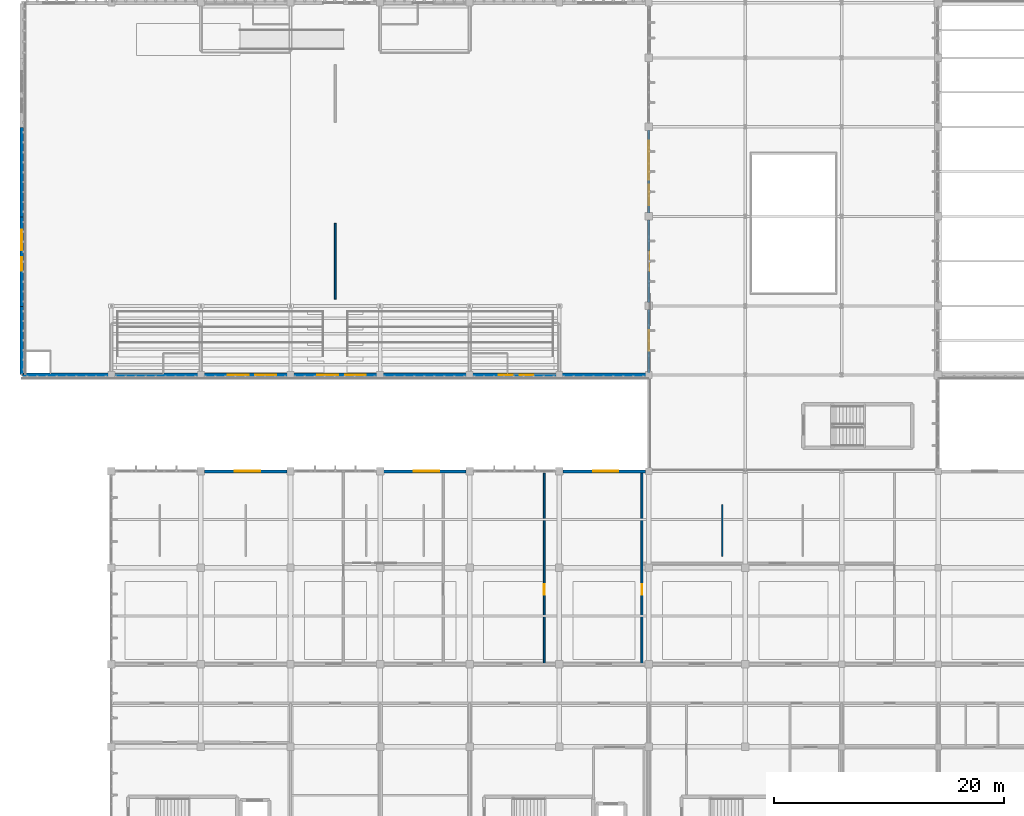
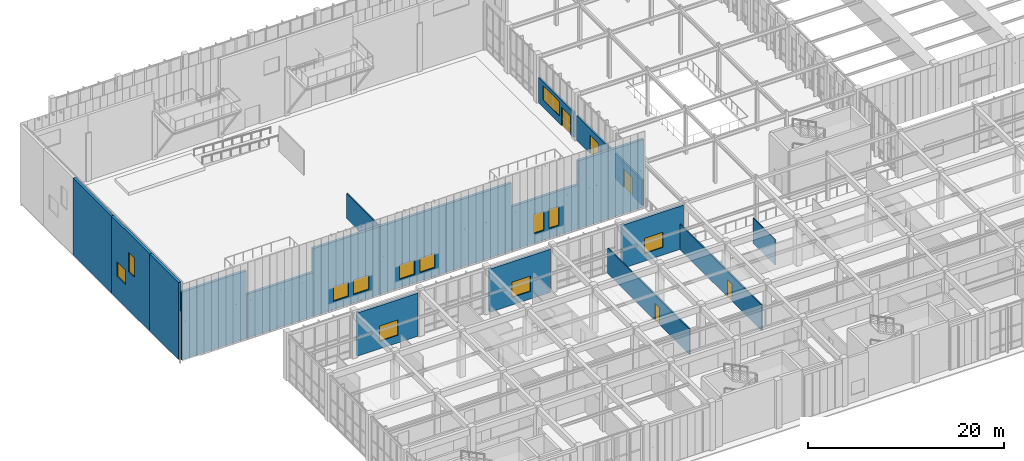
# One storey, part 72 of 105: 20 walls, 12 windows, 5 doors, 17 openings.
"""IFC4 building model written with IfcOpenShell, lengths in metres."""

from ifc_helpers import new_model, si_unit, direction, frame, frame_2d, origin, place, context, subcontext, project, spatial, rectangle, extrude, material, layer, layer_set, type_object, element, fill, save


model = new_model("IFC4")

# Units and contexts
model_context = context("Model", 3, precision=1e-05, world=origin(), true_north=direction((0.0, 1.0)))
body_context = subcontext(model_context, "Body", "Model", "MODEL_VIEW")
ifc_project = project(units=[si_unit("LENGTHUNIT", "METRE"), si_unit("AREAUNIT", "SQUARE_METRE"), si_unit("VOLUMEUNIT", "CUBIC_METRE"), si_unit("PLANEANGLEUNIT", "RADIAN"), si_unit("MASSUNIT", "GRAM", prefix="KILO")], contexts=[model_context])

# Site, building, storey
site_placement = place(None, origin())
site = spatial("IfcSite", under=ifc_project, at=site_placement, CompositionType="ELEMENT")
building_placement = place(site_placement, origin())
building = spatial("IfcBuilding", under=site, at=building_placement, Name="Tizgana Railside Sports Hall", CompositionType="ELEMENT")
storey_placement = place(building_placement, frame((0.0, 0.0, 6.0)))
storey = spatial("IfcBuildingStorey", under=building, at=storey_placement, Name="L01", CompositionType="ELEMENT", Elevation=6.0)

# Wall, opening, door
ifc_material_1 = material(Name="Acoustic gypsum stud")
ifc_layer_1 = layer(ifc_material_1, 0.159912109375, Name="Acoustic gypsum stud")
ifc_layer_set_1 = layer_set([ifc_layer_1], Name="Acoustic gypsum stud")
wall_type_1 = type_object("IfcWallType", Name="Clinic Acoustic Partition 160", PredefinedType="STANDARD", material=ifc_layer_set_1)
wall_1_placement = place(storey_placement, frame((45.5, 15.60009765625, 0.0), z_axis=(0.0, 0.0, 1.0), x_axis=(0.0, 1.0, 0.0)))
wall_1 = element("IfcWall", 1, at=wall_1_placement, inside=storey, type_object=wall_type_1, Name="L01 Partition PWAL-0077", PredefinedType="STANDARD", context=body_context, shape_type="SweptSolid", body=[
    extrude(rectangle(XDim=16.64990234375, YDim=0.159912109375, at=frame_2d((8.324951171875, 0.0))), origin(), (0.0, 0.0, 1.0), 3.14990234375),
])
opening_1_placement = place(wall_1_placement, frame((6.06494140625, 0.0, 0.0)))
opening_1 = element("IfcOpeningElement", 2, at=opening_1_placement, cuts=wall_1, Name="Opening D-0157", PredefinedType="OPENING", context=body_context, shape_type="SweptSolid", body=[
    extrude(rectangle(XDim=0.919921875, YDim=2.14990234375, at=frame_2d((0.4599609375, 1.074951171875))), frame((0.0, 0.08984375, 0.0), z_axis=(0.0, -1.0, 0.0), x_axis=(1.0, 0.0, 0.0)), (0.0, 0.0, 1.0), 0.179931640625),
])
ifc_material_2 = material(Name="Solid beech timber", Category="wood")
door_type_1 = type_object("IfcDoorType", Name="Consultation & Coaching Door 920x2150", OperationType="NOTDEFINED", PredefinedType="DOOR", material=ifc_material_2)
door_1_placement = place(opening_1_placement, origin())
door_1 = element("IfcDoor", 3, at=door_1_placement, inside=storey, type_object=door_type_1, Name="L01 Door D-0157", OperationType="SINGLE_SWING_LEFT", OverallHeight=2.14990234375, OverallWidth=0.919921875, PredefinedType="DOOR", context=body_context, shape_type="SweptSolid", body=[
    extrude(rectangle(XDim=0.919921875, YDim=2.14990234375, at=frame_2d((0.4599609375, 1.074951171875))), frame((0.0, 0.02490234375, 0.0), z_axis=(0.0, -1.0, 0.0), x_axis=(1.0, 0.0, 0.0)), (0.0, 0.0, 1.0), 0.050048828125),
])
fill(opening_1, door_1)

wall_2_placement = place(storey_placement, frame((54.0, 15.60009765625, 0.0), z_axis=(0.0, 0.0, 1.0), x_axis=(0.0, 1.0, 0.0)))
wall_2 = element("IfcWall", 4, at=wall_2_placement, inside=storey, type_object=wall_type_1, Name="L01 Partition PWAL-0078", PredefinedType="STANDARD", context=body_context, shape_type="SweptSolid", body=[
    extrude(rectangle(XDim=16.659912109375, YDim=0.159912109375, at=frame_2d((8.330078125, 0.0))), origin(), (0.0, 0.0, 1.0), 3.14990234375),
])
opening_2_placement = place(wall_2_placement, frame((6.06494140625, 0.0, 0.0)))
opening_2 = element("IfcOpeningElement", 5, at=opening_2_placement, cuts=wall_2, Name="Opening D-0158", PredefinedType="OPENING", context=body_context, shape_type="SweptSolid", body=[
    extrude(rectangle(XDim=0.919921875, YDim=2.14990234375, at=frame_2d((0.4599609375, 1.074951171875))), frame((0.0, 0.08984375, 0.0), z_axis=(0.0, -1.0, 0.0), x_axis=(1.0, 0.0, 0.0)), (0.0, 0.0, 1.0), 0.179931640625),
])
door_2_placement = place(opening_2_placement, origin())
door_2 = element("IfcDoor", 6, at=door_2_placement, inside=storey, type_object=door_type_1, Name="L01 Door D-0158", OperationType="SINGLE_SWING_RIGHT", OverallHeight=2.14990234375, OverallWidth=0.919921875, PredefinedType="DOOR", context=body_context, shape_type="SweptSolid", body=[
    extrude(rectangle(XDim=0.919921875, YDim=2.14990234375, at=frame_2d((0.4599609375, 1.074951171875))), frame((0.0, 0.02490234375, 0.0), z_axis=(0.0, -1.0, 0.0), x_axis=(1.0, 0.0, 0.0)), (0.0, 0.0, 1.0), 0.050048828125),
])
fill(opening_2, door_2)

# Wall
ifc_material_3 = material(Name="Acoustic perforated timber", Category="wood")
ifc_layer_2 = layer(ifc_material_3, 0.139892578125, Name="Acoustic perforated timber")
ifc_layer_set_2 = layer_set([ifc_layer_2], Name="Acoustic perforated timber")
wall_type_2 = type_object("IfcWallType", Name="Court Acoustic Divider Wall 140", PredefinedType="MOVABLE", material=ifc_layer_set_2)
wall_3_placement = place(storey_placement, frame((27.300048828125, 47.39990234375, 0.0), z_axis=(0.0, 0.0, 1.0), x_axis=(0.0, 1.0, 0.0)))
element("IfcWall", 7, at=wall_3_placement, inside=storey, type_object=wall_type_2, Name="L01 Partition PWAL-0292", PredefinedType="MOVABLE", context=body_context, shape_type="SweptSolid", body=[
    extrude(rectangle(XDim=6.60009765625, YDim=0.139892578125, at=frame_2d((3.300048828125, 0.0))), origin(), (0.0, 0.0, 1.0), 3.14990234375),
])

# Wall, opening, door
ifc_material_4 = material(Name="Masonry blockwork", Category="masonry")
ifc_layer_3 = layer(ifc_material_4, 0.219970703125, Name="Masonry blockwork")
ifc_layer_set_3 = layer_set([ifc_layer_3], Name="Masonry blockwork")
wall_type_3 = type_object("IfcWallType", Name="Equipment Store Fire Wall 220", PredefinedType="STANDARD", material=ifc_layer_set_3)
wall_4_placement = place(storey_placement, frame((54.60009765625, 40.9599609375, 0.0), z_axis=(0.0, 0.0, 1.0), x_axis=(0.0, 1.0, 0.0)))
wall_4 = element("IfcWall", 8, at=wall_4_placement, inside=storey, type_object=wall_type_3, Name="L01 Partition PWAL-0271", PredefinedType="STANDARD", context=body_context, shape_type="SweptSolid", body=[
    extrude(rectangle(XDim=5.5400390625, YDim=0.219970703125, at=frame_2d((2.77001953125, 0.0))), origin(), (0.0, 0.0, 1.0), 3.14990234375),
])
opening_3_placement = place(wall_4_placement, frame((1.93994140625, 0.0, 0.0)))
opening_3 = element("IfcOpeningElement", 9, at=opening_3_placement, cuts=wall_4, Name="Opening D-0259", PredefinedType="OPENING", context=body_context, shape_type="SweptSolid", body=[
    extrude(rectangle(XDim=1.800048828125, YDim=2.300048828125, at=frame_2d((0.89990234375, 1.14990234375))), frame((0.0, 0.119873046875, 0.0), z_axis=(0.0, -1.0, 0.0), x_axis=(1.0, 0.0, 0.0)), (0.0, 0.0, 1.0), 0.239990234375),
])
door_type_2 = type_object("IfcDoorType", Name="Spectator Vomitory Double Door 1800x2300", OperationType="NOTDEFINED", PredefinedType="DOOR", material=ifc_material_2)
door_3_placement = place(opening_3_placement, origin())
door_3 = element("IfcDoor", 10, at=door_3_placement, inside=storey, type_object=door_type_2, Name="L01 Door D-0259", OperationType="DOUBLE_DOOR_SINGLE_SWING", OverallHeight=2.300048828125, OverallWidth=1.800048828125, PredefinedType="DOOR", context=body_context, shape_type="SweptSolid", body=[
    extrude(rectangle(XDim=1.800048828125, YDim=2.300048828125, at=frame_2d((0.89990234375, 1.14990234375))), frame((0.0, 0.02490234375, 0.0), z_axis=(0.0, -1.0, 0.0), x_axis=(1.0, 0.0, 0.0)), (0.0, 0.0, 1.0), 0.050048828125),
])
fill(opening_3, door_3)

wall_5_placement = place(storey_placement, frame((54.60009765625, 47.10009765625, 0.0), z_axis=(0.0, 0.0, 1.0), x_axis=(0.0, 1.0, 0.0)))
wall_5 = element("IfcWall", 11, at=wall_5_placement, inside=storey, type_object=wall_type_3, Name="L01 Partition PWAL-0272", PredefinedType="STANDARD", context=body_context, shape_type="SweptSolid", body=[
    extrude(rectangle(XDim=7.199951171875, YDim=0.219970703125, at=frame_2d((3.60009765625, 0.0))), origin(), (0.0, 0.0, 1.0), 3.14990234375),
])
opening_4_placement = place(wall_5_placement, frame((2.699951171875, 0.0, 0.0)))
opening_4 = element("IfcOpeningElement", 12, at=opening_4_placement, cuts=wall_5, Name="Opening D-0260", PredefinedType="OPENING", context=body_context, shape_type="SweptSolid", body=[
    extrude(rectangle(XDim=1.800048828125, YDim=2.300048828125, at=frame_2d((0.89990234375, 1.14990234375))), frame((0.0, 0.119873046875, 0.0), z_axis=(0.0, -1.0, 0.0), x_axis=(1.0, 0.0, 0.0)), (0.0, 0.0, 1.0), 0.239990234375),
])
door_4_placement = place(opening_4_placement, origin())
door_4 = element("IfcDoor", 13, at=door_4_placement, inside=storey, type_object=door_type_2, Name="L01 Door D-0260", OperationType="DOUBLE_DOOR_SINGLE_SWING", OverallHeight=2.300048828125, OverallWidth=1.800048828125, PredefinedType="DOOR", context=body_context, shape_type="SweptSolid", body=[
    extrude(rectangle(XDim=1.800048828125, YDim=2.300048828125, at=frame_2d((0.89990234375, 1.14990234375))), frame((0.0, 0.02490234375, 0.0), z_axis=(0.0, -1.0, 0.0), x_axis=(1.0, 0.0, 0.0)), (0.0, 0.0, 1.0), 0.050048828125),
])
fill(opening_4, door_4)

# Wall, openings, window, door
wall_6_placement = place(storey_placement, frame((54.60009765625, 54.89990234375, 0.0), z_axis=(0.0, 0.0, 1.0), x_axis=(0.0, 1.0, 0.0)))
wall_6 = element("IfcWall", 14, at=wall_6_placement, inside=storey, type_object=wall_type_3, Name="L01 Partition PWAL-0273", PredefinedType="STANDARD", context=body_context, shape_type="SweptSolid", body=[
    extrude(rectangle(XDim=7.2001953125, YDim=0.219970703125, at=frame_2d((3.60009765625, 0.0))), origin(), (0.0, 0.0, 1.0), 3.14990234375),
])
opening_5_placement = place(wall_6_placement, frame((0.64990234375, 0.0, 0.0)))
opening_5 = element("IfcOpeningElement", 15, at=opening_5_placement, cuts=wall_6, Name="Opening D-0261", PredefinedType="OPENING", context=body_context, shape_type="SweptSolid", body=[
    extrude(rectangle(XDim=1.800048828125, YDim=2.300048828125, at=frame_2d((0.89990234375, 1.14990234375))), frame((0.0, 0.119873046875, 0.0), z_axis=(0.0, -1.0, 0.0), x_axis=(1.0, 0.0, 0.0)), (0.0, 0.0, 1.0), 0.239990234375),
])
opening_6_placement = place(wall_6_placement, frame((2.89990234375, 0.0, 0.89990234375)))
opening_6 = element("IfcOpeningElement", 16, at=opening_6_placement, cuts=wall_6, Name="Opening W-0129", PredefinedType="OPENING", context=body_context, shape_type="SweptSolid", body=[
    extrude(rectangle(XDim=3.39990234375, YDim=1.800048828125, at=frame_2d((1.699951171875, 0.89990234375))), frame((0.0, 0.119873046875, 0.0), z_axis=(0.0, -1.0, 0.0), x_axis=(1.0, 0.0, 0.0)), (0.0, 0.0, 1.0), 0.239990234375),
])
ifc_material_5 = material(Name="Double low-E laminated glass", Category="glass")
window_type_1 = type_object("IfcWindowType", Name="Concourse-to-Court Viewing Window 3400x2000", PartitioningType="SINGLE_PANEL", PredefinedType="WINDOW", material=ifc_material_5)
window_1_placement = place(opening_6_placement, origin())
window_1 = element("IfcWindow", 17, at=window_1_placement, inside=storey, type_object=window_type_1, Name="L01 Interior Window W-0129", OverallHeight=1.800048828125, OverallWidth=3.39990234375, PartitioningType="SINGLE_PANEL", PredefinedType="WINDOW", context=body_context, shape_type="SweptSolid", body=[
    extrude(rectangle(XDim=3.39990234375, YDim=1.800048828125, at=frame_2d((1.699951171875, 0.89990234375))), frame((0.0, 0.030029296875, 0.0), z_axis=(0.0, -1.0, 0.0), x_axis=(1.0, 0.0, 0.0)), (0.0, 0.0, 1.0), 0.06005859375),
])
fill(opening_6, window_1)
door_5_placement = place(opening_5_placement, origin())
door_5 = element("IfcDoor", 18, at=door_5_placement, inside=storey, type_object=door_type_2, Name="L01 Door D-0261", OperationType="DOUBLE_DOOR_SINGLE_SWING", OverallHeight=2.300048828125, OverallWidth=1.800048828125, PredefinedType="DOOR", context=body_context, shape_type="SweptSolid", body=[
    extrude(rectangle(XDim=1.800048828125, YDim=2.300048828125, at=frame_2d((0.89990234375, 1.14990234375))), frame((0.0, 0.02490234375, 0.0), z_axis=(0.0, -1.0, 0.0), x_axis=(1.0, 0.0, 0.0)), (0.0, 0.0, 1.0), 0.050048828125),
])
fill(opening_5, door_5)

# Walls
ifc_material_6 = material(Name="Precast concrete C40/50", Category="concrete")
ifc_layer_4 = layer(ifc_material_6, 0.31005859375, Name="Precast concrete C40/50")
ifc_layer_set_4 = layer_set([ifc_layer_4], Name="Precast concrete C40/50")
wall_type_4 = type_object("IfcWallType", Name="Exterior Acoustic Hall Wall 310", PredefinedType="STANDARD", material=ifc_layer_set_4)
wall_7_placement = place(storey_placement, frame((7.75, 40.800048828125, 0.0), z_axis=(0.0, 0.0, 1.0), x_axis=(-1.0, 0.0, 0.0)))
element("IfcWall", 19, at=wall_7_placement, inside=storey, type_object=wall_type_4, Name="L01 Exterior Wall EWAL-0008", PredefinedType="STANDARD", context=body_context, shape_type="SweptSolid", body=[
    extrude(rectangle(XDim=7.699951171875, YDim=0.31005859375, at=frame_2d((3.85009765625, 0.0))), origin(), (0.0, 0.0, 1.0), 8.43505859375),
])
wall_8_placement = place(storey_placement, frame((15.550048828125, 40.800048828125, 0.0), z_axis=(0.0, 0.0, 1.0), x_axis=(-1.0, 0.0, 0.0)))
element("IfcWall", 20, at=wall_8_placement, inside=storey, type_object=wall_type_4, Name="L01 Exterior Wall EWAL-0010", PredefinedType="STANDARD", context=body_context, shape_type="SweptSolid", body=[
    extrude(rectangle(XDim=7.795166015625, YDim=0.31005859375, at=frame_2d((3.8974609375, 0.0))), origin(), (0.0, 0.0, 1.0), 5.47509765625),
])

# Wall, openings, windows
wall_9_placement = place(storey_placement, frame((23.35009765625, 40.800048828125, 0.0), z_axis=(0.0, 0.0, 1.0), x_axis=(-1.0, 0.0, 0.0)))
wall_9 = element("IfcWall", 21, at=wall_9_placement, inside=storey, type_object=wall_type_4, Name="L01 Exterior Wall EWAL-0012", PredefinedType="STANDARD", context=body_context, shape_type="SweptSolid", body=[
    extrude(rectangle(XDim=7.795166015625, YDim=0.31005859375, at=frame_2d((3.8974609375, 0.0))), origin(), (0.0, 0.0, 1.0), 8.43505859375),
])
opening_7_placement = place(wall_9_placement, frame((1.199951171875, 0.0, 1.050048828125)))
opening_7 = element("IfcOpeningElement", 22, at=opening_7_placement, cuts=wall_9, Name="Opening W-0009", PredefinedType="OPENING", context=body_context, shape_type="SweptSolid", body=[
    extrude(rectangle(XDim=1.800048828125, YDim=1.800048828125, at=frame_2d((0.89990234375, 0.89990234375))), frame((0.0, 0.1650390625, 0.0), z_axis=(0.0, -1.0, 0.0), x_axis=(1.0, 0.0, 0.0)), (0.0, 0.0, 1.0), 0.330078125),
])
opening_8_placement = place(wall_9_placement, frame((3.60009765625, 0.0, 1.050048828125)))
opening_8 = element("IfcOpeningElement", 23, at=opening_8_placement, cuts=wall_9, Name="Opening W-0010", PredefinedType="OPENING", context=body_context, shape_type="SweptSolid", body=[
    extrude(rectangle(XDim=1.800048828125, YDim=1.800048828125, at=frame_2d((0.89990234375, 0.89990234375))), frame((0.0, 0.1650390625, 0.0), z_axis=(0.0, -1.0, 0.0), x_axis=(1.0, 0.0, 0.0)), (0.0, 0.0, 1.0), 0.330078125),
])
window_type_2 = type_object("IfcWindowType", Name="Upper Hall Clustered Window 1800x1800", PartitioningType="SINGLE_PANEL", PredefinedType="WINDOW", material=ifc_material_5)
window_2_placement = place(opening_7_placement, origin())
window_2 = element("IfcWindow", 24, at=window_2_placement, inside=storey, type_object=window_type_2, Name="L01 Window W-0009", OverallHeight=1.800048828125, OverallWidth=1.800048828125, PartitioningType="SINGLE_PANEL", PredefinedType="WINDOW", context=body_context, shape_type="SweptSolid", body=[
    extrude(rectangle(XDim=1.800048828125, YDim=1.800048828125, at=frame_2d((0.89990234375, 0.89990234375))), frame((0.0, 0.030029296875, 0.0), z_axis=(0.0, -1.0, 0.0), x_axis=(1.0, 0.0, 0.0)), (0.0, 0.0, 1.0), 0.06005859375),
])
fill(opening_7, window_2)
window_3_placement = place(opening_8_placement, origin())
window_3 = element("IfcWindow", 25, at=window_3_placement, inside=storey, type_object=window_type_2, Name="L01 Window W-0010", OverallHeight=1.800048828125, OverallWidth=1.800048828125, PartitioningType="SINGLE_PANEL", PredefinedType="WINDOW", context=body_context, shape_type="SweptSolid", body=[
    extrude(rectangle(XDim=1.800048828125, YDim=1.800048828125, at=frame_2d((0.89990234375, 0.89990234375))), frame((0.0, 0.030029296875, 0.0), z_axis=(0.0, -1.0, 0.0), x_axis=(1.0, 0.0, 0.0)), (0.0, 0.0, 1.0), 0.06005859375),
])
fill(opening_8, window_3)

wall_10_placement = place(storey_placement, frame((31.14990234375, 40.800048828125, 0.0), z_axis=(0.0, 0.0, 1.0), x_axis=(-1.0, 0.0, 0.0)))
wall_10 = element("IfcWall", 26, at=wall_10_placement, inside=storey, type_object=wall_type_4, Name="L01 Exterior Wall EWAL-0014", PredefinedType="STANDARD", context=body_context, shape_type="SweptSolid", body=[
    extrude(rectangle(XDim=7.794921875, YDim=0.31005859375, at=frame_2d((3.8974609375, 0.0))), origin(), (0.0, 0.0, 1.0), 8.43505859375),
])
opening_9_placement = place(wall_10_placement, frame((1.199951171875, 0.0, 1.050048828125)))
opening_9 = element("IfcOpeningElement", 27, at=opening_9_placement, cuts=wall_10, Name="Opening W-0011", PredefinedType="OPENING", context=body_context, shape_type="SweptSolid", body=[
    extrude(rectangle(XDim=1.800048828125, YDim=1.800048828125, at=frame_2d((0.89990234375, 0.89990234375))), frame((0.0, 0.1650390625, 0.0), z_axis=(0.0, -1.0, 0.0), x_axis=(1.0, 0.0, 0.0)), (0.0, 0.0, 1.0), 0.330078125),
])
opening_10_placement = place(wall_10_placement, frame((3.60009765625, 0.0, 1.050048828125)))
opening_10 = element("IfcOpeningElement", 28, at=opening_10_placement, cuts=wall_10, Name="Opening W-0012", PredefinedType="OPENING", context=body_context, shape_type="SweptSolid", body=[
    extrude(rectangle(XDim=1.800048828125, YDim=1.800048828125, at=frame_2d((0.89990234375, 0.89990234375))), frame((0.0, 0.1650390625, 0.0), z_axis=(0.0, -1.0, 0.0), x_axis=(1.0, 0.0, 0.0)), (0.0, 0.0, 1.0), 0.330078125),
])
window_4_placement = place(opening_9_placement, origin())
window_4 = element("IfcWindow", 29, at=window_4_placement, inside=storey, type_object=window_type_2, Name="L01 Window W-0011", OverallHeight=1.800048828125, OverallWidth=1.800048828125, PartitioningType="SINGLE_PANEL", PredefinedType="WINDOW", context=body_context, shape_type="SweptSolid", body=[
    extrude(rectangle(XDim=1.800048828125, YDim=1.800048828125, at=frame_2d((0.89990234375, 0.89990234375))), frame((0.0, 0.030029296875, 0.0), z_axis=(0.0, -1.0, 0.0), x_axis=(1.0, 0.0, 0.0)), (0.0, 0.0, 1.0), 0.06005859375),
])
fill(opening_9, window_4)
window_5_placement = place(opening_10_placement, origin())
window_5 = element("IfcWindow", 30, at=window_5_placement, inside=storey, type_object=window_type_2, Name="L01 Window W-0012", OverallHeight=1.800048828125, OverallWidth=1.800048828125, PartitioningType="SINGLE_PANEL", PredefinedType="WINDOW", context=body_context, shape_type="SweptSolid", body=[
    extrude(rectangle(XDim=1.800048828125, YDim=1.800048828125, at=frame_2d((0.89990234375, 0.89990234375))), frame((0.0, 0.030029296875, 0.0), z_axis=(0.0, -1.0, 0.0), x_axis=(1.0, 0.0, 0.0)), (0.0, 0.0, 1.0), 0.06005859375),
])
fill(opening_10, window_5)

# Wall
wall_11_placement = place(storey_placement, frame((38.949951171875, 40.800048828125, 0.0), z_axis=(0.0, 0.0, 1.0), x_axis=(-1.0, 0.0, 0.0)))
element("IfcWall", 31, at=wall_11_placement, inside=storey, type_object=wall_type_4, Name="L01 Exterior Wall EWAL-0016", PredefinedType="STANDARD", context=body_context, shape_type="SweptSolid", body=[
    extrude(rectangle(XDim=7.794921875, YDim=0.31005859375, at=frame_2d((3.8974609375, 0.0))), origin(), (0.0, 0.0, 1.0), 8.43505859375),
])

# Wall, openings, windows
wall_12_placement = place(storey_placement, frame((46.75, 40.800048828125, 0.0), z_axis=(0.0, 0.0, 1.0), x_axis=(-1.0, 0.0, 0.0)))
wall_12 = element("IfcWall", 32, at=wall_12_placement, inside=storey, type_object=wall_type_4, Name="L01 Exterior Wall EWAL-0018", PredefinedType="STANDARD", context=body_context, shape_type="SweptSolid", body=[
    extrude(rectangle(XDim=7.794921875, YDim=0.31005859375, at=frame_2d((3.8974609375, 0.0))), origin(), (0.0, 0.0, 1.0), 5.47509765625),
])
opening_11_placement = place(wall_12_placement, frame((2.199951171875, 0.0, 1.199951171875)))
opening_11 = element("IfcOpeningElement", 33, at=opening_11_placement, cuts=wall_12, Name="Opening W-0014", PredefinedType="OPENING", context=body_context, shape_type="SweptSolid", body=[
    extrude(rectangle(XDim=1.199951171875, YDim=2.39990234375, at=frame_2d((0.60009765625, 1.199951171875))), frame((0.0, 0.1650390625, 0.0), z_axis=(0.0, -1.0, 0.0), x_axis=(1.0, 0.0, 0.0)), (0.0, 0.0, 1.0), 0.330078125),
])
opening_12_placement = place(wall_12_placement, frame((4.0, 0.0, 1.199951171875)))
opening_12 = element("IfcOpeningElement", 34, at=opening_12_placement, cuts=wall_12, Name="Opening W-0015", PredefinedType="OPENING", context=body_context, shape_type="SweptSolid", body=[
    extrude(rectangle(XDim=1.199951171875, YDim=2.39990234375, at=frame_2d((0.60009765625, 1.199951171875))), frame((0.0, 0.1650390625, 0.0), z_axis=(0.0, -1.0, 0.0), x_axis=(1.0, 0.0, 0.0)), (0.0, 0.0, 1.0), 0.330078125),
])
window_type_3 = type_object("IfcWindowType", Name="Upper Hall Tall Slot Window 1200x2400", PartitioningType="SINGLE_PANEL", PredefinedType="WINDOW", material=ifc_material_5)
window_6_placement = place(opening_11_placement, origin())
window_6 = element("IfcWindow", 35, at=window_6_placement, inside=storey, type_object=window_type_3, Name="L01 Window W-0014", OverallHeight=2.39990234375, OverallWidth=1.199951171875, PartitioningType="SINGLE_PANEL", PredefinedType="WINDOW", context=body_context, shape_type="SweptSolid", body=[
    extrude(rectangle(XDim=1.199951171875, YDim=2.39990234375, at=frame_2d((0.60009765625, 1.199951171875))), frame((0.0, 0.030029296875, 0.0), z_axis=(0.0, -1.0, 0.0), x_axis=(1.0, 0.0, 0.0)), (0.0, 0.0, 1.0), 0.06005859375),
])
fill(opening_11, window_6)
window_7_placement = place(opening_12_placement, origin())
window_7 = element("IfcWindow", 36, at=window_7_placement, inside=storey, type_object=window_type_3, Name="L01 Window W-0015", OverallHeight=2.39990234375, OverallWidth=1.199951171875, PartitioningType="SINGLE_PANEL", PredefinedType="WINDOW", context=body_context, shape_type="SweptSolid", body=[
    extrude(rectangle(XDim=1.199951171875, YDim=2.39990234375, at=frame_2d((0.60009765625, 1.199951171875))), frame((0.0, 0.030029296875, 0.0), z_axis=(0.0, -1.0, 0.0), x_axis=(1.0, 0.0, 0.0)), (0.0, 0.0, 1.0), 0.06005859375),
])
fill(opening_12, window_7)

# Walls
wall_13_placement = place(storey_placement, frame((54.550048828125, 40.800048828125, 0.0), z_axis=(0.0, 0.0, 1.0), x_axis=(-1.0, 0.0, 0.0)))
element("IfcWall", 37, at=wall_13_placement, inside=storey, type_object=wall_type_4, Name="L01 Exterior Wall EWAL-0020", PredefinedType="STANDARD", context=body_context, shape_type="SweptSolid", body=[
    extrude(rectangle(XDim=7.795166015625, YDim=0.31005859375, at=frame_2d((3.8974609375, 0.0))), origin(), (0.0, 0.0, 1.0), 8.43505859375),
])
wall_14_placement = place(storey_placement, frame((0.0, 46.75, 0.0), z_axis=(0.0, 0.0, 1.0), x_axis=(0.0, -1.0, 0.0)))
element("IfcWall", 38, at=wall_14_placement, inside=storey, type_object=wall_type_4, Name="L01 Exterior Wall EWAL-0022", PredefinedType="STANDARD", context=body_context, shape_type="SweptSolid", body=[
    extrude(rectangle(XDim=5.89990234375, YDim=0.31005859375, at=frame_2d((2.949951171875, 0.0))), origin(), (0.0, 0.0, 1.0), 9.60009765625),
])

# Wall, openings, windows
wall_15_placement = place(storey_placement, frame((0.0, 54.550048828125, 0.0), z_axis=(0.0, 0.0, 1.0), x_axis=(0.0, -1.0, 0.0)))
wall_15 = element("IfcWall", 39, at=wall_15_placement, inside=storey, type_object=wall_type_4, Name="L01 Exterior Wall EWAL-0023", PredefinedType="STANDARD", context=body_context, shape_type="SweptSolid", body=[
    extrude(rectangle(XDim=7.795166015625, YDim=0.31005859375, at=frame_2d((3.8974609375, 0.0))), origin(), (0.0, 0.0, 1.0), 9.60009765625),
])
opening_13_placement = place(wall_15_placement, frame((1.10009765625, 0.0, 2.800048828125)))
opening_13 = element("IfcOpeningElement", 40, at=opening_13_placement, cuts=wall_15, Name="Opening W-0017", PredefinedType="OPENING", context=body_context, shape_type="SweptSolid", body=[
    extrude(rectangle(XDim=1.800048828125, YDim=1.800048828125, at=frame_2d((0.89990234375, 0.89990234375))), frame((0.0, 0.1650390625, 0.0), z_axis=(0.0, -1.0, 0.0), x_axis=(1.0, 0.0, 0.0)), (0.0, 0.0, 1.0), 0.330078125),
])
opening_14_placement = place(wall_15_placement, frame((3.5, 0.0, 4.800048828125)))
opening_14 = element("IfcOpeningElement", 41, at=opening_14_placement, cuts=wall_15, Name="Opening W-0018", PredefinedType="OPENING", context=body_context, shape_type="SweptSolid", body=[
    extrude(rectangle(XDim=1.199951171875, YDim=2.39990234375, at=frame_2d((0.60009765625, 1.199951171875))), frame((0.0, 0.1650390625, 0.0), z_axis=(0.0, -1.0, 0.0), x_axis=(1.0, 0.0, 0.0)), (0.0, 0.0, 1.0), 0.330078125),
])
window_8_placement = place(opening_13_placement, origin())
window_8 = element("IfcWindow", 42, at=window_8_placement, inside=storey, type_object=window_type_2, Name="L01 Window W-0017", OverallHeight=1.800048828125, OverallWidth=1.800048828125, PartitioningType="SINGLE_PANEL", PredefinedType="WINDOW", context=body_context, shape_type="SweptSolid", body=[
    extrude(rectangle(XDim=1.800048828125, YDim=1.800048828125, at=frame_2d((0.89990234375, 0.89990234375))), frame((0.0, 0.030029296875, 0.0), z_axis=(0.0, -1.0, 0.0), x_axis=(1.0, 0.0, 0.0)), (0.0, 0.0, 1.0), 0.06005859375),
])
fill(opening_13, window_8)
window_9_placement = place(opening_14_placement, origin())
window_9 = element("IfcWindow", 43, at=window_9_placement, inside=storey, type_object=window_type_3, Name="L01 Window W-0018", OverallHeight=2.39990234375, OverallWidth=1.199951171875, PartitioningType="SINGLE_PANEL", PredefinedType="WINDOW", context=body_context, shape_type="SweptSolid", body=[
    extrude(rectangle(XDim=1.199951171875, YDim=2.39990234375, at=frame_2d((0.60009765625, 1.199951171875))), frame((0.0, 0.030029296875, 0.0), z_axis=(0.0, -1.0, 0.0), x_axis=(1.0, 0.0, 0.0)), (0.0, 0.0, 1.0), 0.06005859375),
])
fill(opening_14, window_9)

# Wall
wall_16_placement = place(storey_placement, frame((0.0, 62.35009765625, 0.0), z_axis=(0.0, 0.0, 1.0), x_axis=(0.0, -1.0, 0.0)))
element("IfcWall", 44, at=wall_16_placement, inside=storey, type_object=wall_type_4, Name="L01 Exterior Wall EWAL-0024", PredefinedType="STANDARD", context=body_context, shape_type="SweptSolid", body=[
    extrude(rectangle(XDim=7.795166015625, YDim=0.31005859375, at=frame_2d((3.8974609375, 0.0))), origin(), (0.0, 0.0, 1.0), 9.60009765625),
])

# Wall, opening, window
ifc_layer_5 = layer(ifc_material_6, 0.27001953125, Name="Precast concrete C40/50")
ifc_layer_set_5 = layer_set([ifc_layer_5], Name="Precast concrete C40/50")
wall_type_5 = type_object("IfcWallType", Name="Exterior Studio Facade Wall 270", PredefinedType="STANDARD", material=ifc_layer_set_5)
wall_17_placement = place(storey_placement, frame((15.9150390625, 32.39990234375, 0.0), z_axis=(0.0, 0.0, 1.0), x_axis=(1.0, 0.0, 0.0)))
wall_17 = element("IfcWall", 45, at=wall_17_placement, inside=storey, type_object=wall_type_5, Name="L01 Exterior Wall EWAL-0091", PredefinedType="STANDARD", context=body_context, shape_type="SweptSolid", body=[
    extrude(rectangle(XDim=7.169921875, YDim=0.27001953125, at=frame_2d((3.5849609375, 0.0))), origin(), (0.0, 0.0, 1.0), 5.37109375),
])
opening_15_placement = place(wall_17_placement, frame((2.635009765625, 0.0, 0.949951171875)))
opening_15 = element("IfcOpeningElement", 46, at=opening_15_placement, cuts=wall_17, Name="Opening W-0065", PredefinedType="OPENING", context=body_context, shape_type="SweptSolid", body=[
    extrude(rectangle(XDim=2.199951171875, YDim=1.89990234375, at=frame_2d((1.10009765625, 0.949951171875))), frame((0.0, 0.14501953125, 0.0), z_axis=(0.0, -1.0, 0.0), x_axis=(1.0, 0.0, 0.0)), (0.0, 0.0, 1.0), 0.2900390625),
])
window_type_4 = type_object("IfcWindowType", Name="Clinic Double Window 2200x1900", PartitioningType="SINGLE_PANEL", PredefinedType="WINDOW", material=ifc_material_5)
window_10_placement = place(opening_15_placement, origin())
window_10 = element("IfcWindow", 47, at=window_10_placement, inside=storey, type_object=window_type_4, Name="L01 Window W-0065", OverallHeight=1.89990234375, OverallWidth=2.199951171875, PartitioningType="SINGLE_PANEL", PredefinedType="WINDOW", context=body_context, shape_type="SweptSolid", body=[
    extrude(rectangle(XDim=2.199951171875, YDim=1.89990234375, at=frame_2d((1.10009765625, 0.949951171875))), frame((0.0, 0.030029296875, 0.0), z_axis=(0.0, -1.0, 0.0), x_axis=(1.0, 0.0, 0.0)), (0.0, 0.0, 1.0), 0.06005859375),
])
fill(opening_15, window_10)

wall_18_placement = place(storey_placement, frame((31.514892578125, 32.39990234375, 0.0), z_axis=(0.0, 0.0, 1.0), x_axis=(1.0, 0.0, 0.0)))
wall_18 = element("IfcWall", 48, at=wall_18_placement, inside=storey, type_object=wall_type_5, Name="L01 Exterior Wall EWAL-0092", PredefinedType="STANDARD", context=body_context, shape_type="SweptSolid", body=[
    extrude(rectangle(XDim=7.170166015625, YDim=0.27001953125, at=frame_2d((3.5849609375, 0.0))), origin(), (0.0, 0.0, 1.0), 5.37109375),
])
opening_16_placement = place(wall_18_placement, frame((2.635009765625, 0.0, 0.949951171875)))
opening_16 = element("IfcOpeningElement", 49, at=opening_16_placement, cuts=wall_18, Name="Opening W-0066", PredefinedType="OPENING", context=body_context, shape_type="SweptSolid", body=[
    extrude(rectangle(XDim=2.199951171875, YDim=1.89990234375, at=frame_2d((1.10009765625, 0.949951171875))), frame((0.0, 0.14501953125, 0.0), z_axis=(0.0, -1.0, 0.0), x_axis=(1.0, 0.0, 0.0)), (0.0, 0.0, 1.0), 0.2900390625),
])
window_11_placement = place(opening_16_placement, origin())
window_11 = element("IfcWindow", 50, at=window_11_placement, inside=storey, type_object=window_type_4, Name="L01 Window W-0066", OverallHeight=1.89990234375, OverallWidth=2.199951171875, PartitioningType="SINGLE_PANEL", PredefinedType="WINDOW", context=body_context, shape_type="SweptSolid", body=[
    extrude(rectangle(XDim=2.199951171875, YDim=1.89990234375, at=frame_2d((1.10009765625, 0.949951171875))), frame((0.0, 0.030029296875, 0.0), z_axis=(0.0, -1.0, 0.0), x_axis=(1.0, 0.0, 0.0)), (0.0, 0.0, 1.0), 0.06005859375),
])
fill(opening_16, window_11)

wall_19_placement = place(storey_placement, frame((47.114990234375, 32.39990234375, 0.0), z_axis=(0.0, 0.0, 1.0), x_axis=(1.0, 0.0, 0.0)))
wall_19 = element("IfcWall", 51, at=wall_19_placement, inside=storey, type_object=wall_type_5, Name="L01 Exterior Wall EWAL-0093", PredefinedType="STANDARD", context=body_context, shape_type="SweptSolid", body=[
    extrude(rectangle(XDim=7.219970703125, YDim=0.27001953125, at=frame_2d((3.60986328125, 0.0))), origin(), (0.0, 0.0, 1.0), 5.37109375),
])
opening_17_placement = place(wall_19_placement, frame((2.635009765625, 0.0, 0.949951171875)))
opening_17 = element("IfcOpeningElement", 52, at=opening_17_placement, cuts=wall_19, Name="Opening W-0067", PredefinedType="OPENING", context=body_context, shape_type="SweptSolid", body=[
    extrude(rectangle(XDim=2.199951171875, YDim=1.89990234375, at=frame_2d((1.10009765625, 0.949951171875))), frame((0.0, 0.14501953125, 0.0), z_axis=(0.0, -1.0, 0.0), x_axis=(1.0, 0.0, 0.0)), (0.0, 0.0, 1.0), 0.2900390625),
])
window_12_placement = place(opening_17_placement, origin())
window_12 = element("IfcWindow", 53, at=window_12_placement, inside=storey, type_object=window_type_4, Name="L01 Window W-0067", OverallHeight=1.89990234375, OverallWidth=2.199951171875, PartitioningType="SINGLE_PANEL", PredefinedType="WINDOW", context=body_context, shape_type="SweptSolid", body=[
    extrude(rectangle(XDim=2.199951171875, YDim=1.89990234375, at=frame_2d((1.10009765625, 0.949951171875))), frame((0.0, 0.030029296875, 0.0), z_axis=(0.0, -1.0, 0.0), x_axis=(1.0, 0.0, 0.0)), (0.0, 0.0, 1.0), 0.06005859375),
])
fill(opening_17, window_12)

# Wall
ifc_layer_6 = layer(ifc_material_1, 0.10009765625, Name="Acoustic gypsum stud")
ifc_layer_set_6 = layer_set([ifc_layer_6], Name="Acoustic gypsum stud")
wall_type_6 = type_object("IfcWallType", Name="Locker Alcove Partition 100", PredefinedType="STANDARD", material=ifc_layer_set_6)
wall_20_placement = place(storey_placement, frame((61.0, 25.0, 0.0), z_axis=(0.0, 0.0, 1.0), x_axis=(0.0, 1.0, 0.0)))
element("IfcWall", 54, at=wall_20_placement, inside=storey, type_object=wall_type_6, Name="L01 Partition PWAL-0101", PredefinedType="STANDARD", context=body_context, shape_type="SweptSolid", body=[
    extrude(rectangle(XDim=4.5, YDim=0.10009765625, at=frame_2d((2.25, 0.0))), origin(), (0.0, 0.0, 1.0), 3.14990234375),
])

save(model, "model.ifc")
